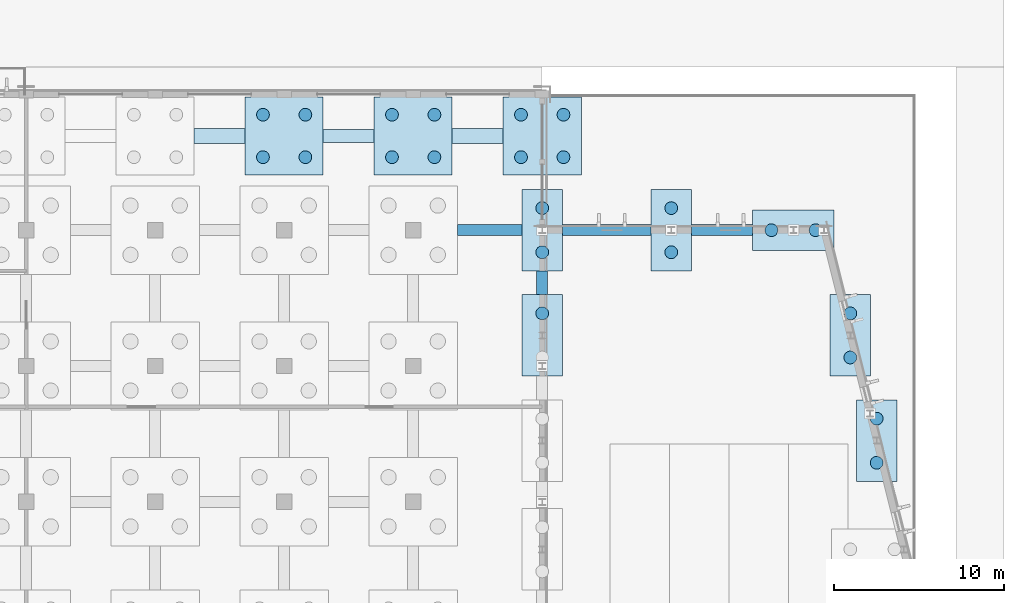
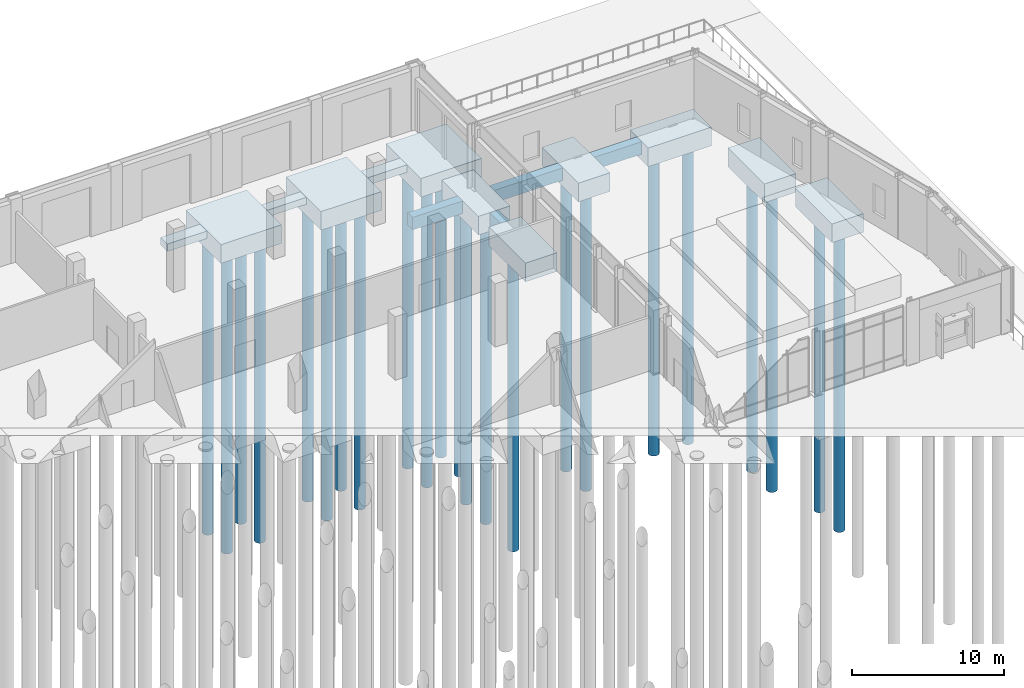
# One storey, part 14 of 94: 23 piles, 16 footings.
"""IFC4 building model written with IfcOpenShell, lengths in metres."""

from ifc_helpers import new_model, si_unit, direction, frame, origin, origin_2d, place, context, subcontext, project, spatial, rectangle, circle, extrude, material, material_profile, profile_set, type_object, element, save


model = new_model("IFC4")

# Units and contexts
model_context = context("Model", 3, precision=1e-05, world=origin(), true_north=direction((0.0, 1.0)))
body_context = subcontext(model_context, "Body", "Model", "MODEL_VIEW")
ifc_project = project(units=[si_unit("LENGTHUNIT", "METRE"), si_unit("AREAUNIT", "SQUARE_METRE"), si_unit("VOLUMEUNIT", "CUBIC_METRE"), si_unit("PLANEANGLEUNIT", "RADIAN"), si_unit("MASSUNIT", "GRAM", prefix="KILO")], contexts=[model_context])

# Site, building, storey
site_placement = place(None, origin())
site = spatial("IfcSite", under=ifc_project, at=site_placement, CompositionType="ELEMENT")
building_placement = place(site_placement, origin())
building = spatial("IfcBuilding", under=site, at=building_placement, Name="Vervanel Yard Central Library", CompositionType="ELEMENT")
storey_placement = place(building_placement, origin())
storey = spatial("IfcBuildingStorey", under=building, at=storey_placement, Name="L00", CompositionType="ELEMENT", Elevation=0.0)

# Piles
ifc_material = material(Name="Concrete C40/50", Category="concrete")
ifc_material_profile_1 = material_profile(ifc_material, circle(Radius=0.375, at=origin_2d()), Name="BP D750", Category="concrete")
ifc_profile_set_1 = profile_set([ifc_material_profile_1], Name="Concrete C40/50")
pile_type = type_object("IfcPileType", Name="Bored Concrete Pile D750", PredefinedType="BORED", material=ifc_profile_set_1)
for number, where, z_axis, x_axis, name in (
    (1, (129.550048828125, 110.300048828125, -1.75), (0.0, 0.0, -1.0), (1.0, 0.0, 0.0), "Bored Concrete Pile 381 under PCAP-094"),
    (2, (132.050048828125, 110.300048828125, -1.75), (0.0, 0.0, -1.0), (1.0, 0.0, 0.0), "Bored Concrete Pile 382 under PCAP-094"),
    (3, (129.550048828125, 112.800048828125, -1.75), (0.0, 0.0, -1.0), (1.0, 0.0, 0.0), "Bored Concrete Pile 383 under PCAP-094"),
    (4, (132.050048828125, 112.800048828125, -1.75), (0.0, 0.0, -1.0), (1.0, 0.0, 0.0), "Bored Concrete Pile 384 under PCAP-094"),
    (5, (137.14990234375, 110.300048828125, -1.75), (0.0, 0.0, -1.0), (1.0, 0.0, 0.0), "Bored Concrete Pile 397 under PCAP-098"),
    (6, (139.64990234375, 110.300048828125, -1.75), (0.0, 0.0, -1.0), (1.0, 0.0, 0.0), "Bored Concrete Pile 398 under PCAP-098"),
    (7, (137.14990234375, 112.800048828125, -1.75), (0.0, 0.0, -1.0), (1.0, 0.0, 0.0), "Bored Concrete Pile 399 under PCAP-098"),
    (8, (139.64990234375, 112.800048828125, -1.75), (0.0, 0.0, -1.0), (1.0, 0.0, 0.0), "Bored Concrete Pile 400 under PCAP-098"),
    (9, (144.75, 110.300048828125, -1.75), (0.0, 0.0, -1.0), (1.0, 0.0, 0.0), "Bored Concrete Pile 401 under PCAP-099"),
    (10, (147.25, 110.300048828125, -1.75), (0.0, 0.0, -1.0), (1.0, 0.0, 0.0), "Bored Concrete Pile 402 under PCAP-099"),
    (11, (144.75, 112.800048828125, -1.75), (0.0, 0.0, -1.0), (1.0, 0.0, 0.0), "Bored Concrete Pile 403 under PCAP-099"),
    (12, (147.25, 112.800048828125, -1.75), (0.0, 0.0, -1.0), (1.0, 0.0, 0.0), "Bored Concrete Pile 404 under PCAP-099"),
    (13, (146.0, 101.10009765625, -1.75), (0.0, 0.0, -1.0), (1.0, 0.0, 0.0), "Bored Concrete Pile 518 under PCAP-156"),
    (14, (146.0, 104.699951171875, -1.75), (0.0, 0.0, -1.0), (1.0, 0.0, 0.0), "Bored Concrete Pile 519 under PCAP-157"),
    (15, (146.0, 107.300048828125, -1.75), (0.0, 0.0, -1.0), (1.0, 0.0, 0.0), "Bored Concrete Pile 520 under PCAP-157"),
    (16, (153.60009765625, 104.699951171875, -1.75), (0.0, 0.0, -1.0), (1.0, 0.0, 0.0), "Bored Concrete Pile 523 under PCAP-159"),
    (17, (153.60009765625, 107.300048828125, -1.75), (0.0, 0.0, -1.0), (1.0, 0.0, 0.0), "Bored Concrete Pile 524 under PCAP-159"),
    (18, (164.14990234375, 98.5, -1.75), (0.0, 0.0, -1.0), (1.0, 0.0, 0.0), "Bored Concrete Pile 525 under PCAP-160"),
    (19, (164.14990234375, 101.10009765625, -1.75), (0.0, 0.0, -1.0), (1.0, 0.0, 0.0), "Bored Concrete Pile 526 under PCAP-160"),
    (20, (165.699951171875, 92.300048828125, -1.75), (0.0, 0.0, -1.0), (1.0, 0.0, 0.0), "Bored Concrete Pile 527 under PCAP-161"),
    (21, (165.699951171875, 94.89990234375, -1.75), (0.0, 0.0, -1.0), (1.0, 0.0, 0.0), "Bored Concrete Pile 528 under PCAP-161"),
    (22, (159.5, 106.0, -1.75), (0.0, 0.0, -1.0), (1.0, 0.0, 0.0), "Bored Concrete Pile 603 under PCAP-199"),
    (23, (162.10009765625, 106.0, -1.75), (0.0, 0.0, -1.0), (1.0, 0.0, 0.0), "Bored Concrete Pile 604 under PCAP-199"),
):
    element("IfcPile", number, at=place(storey_placement, frame(where, z_axis=z_axis, x_axis=x_axis)), inside=storey, type_object=pile_type, Name=name, PredefinedType="BORED", context=body_context, shape_type="SweptSolid", body=[
        extrude(circle(Radius=0.375, at=origin_2d()), origin(), (0.0, 0.0, 1.0), 24.25),
    ])

# Footings
footing_type_1 = type_object("IfcFootingType", Name="Combined 2-Pile Cap 2400x4800x1500", PredefinedType="PILE_CAP", material=ifc_material)
for number, where, z_axis, x_axis, name in (
    (24, (146.0, 99.800048828125, -1.89990234375), (0.0, 0.0, 1.0), (1.0, 0.0, 0.0), "Combined Pile Cap PCAP-156 (PC-01)"),
    (25, (146.0, 106.0, -1.89990234375), (0.0, 0.0, 1.0), (1.0, 0.0, 0.0), "Combined Pile Cap PCAP-157 (PC-01)"),
    (26, (153.60009765625, 106.0, -1.89990234375), (0.0, 0.0, 1.0), (1.0, 0.0, 0.0), "Combined Pile Cap PCAP-159 (PC-01)"),
    (27, (164.14990234375, 99.800048828125, -1.89990234375), (0.0, 0.0, 1.0), (1.0, 0.0, 0.0), "Combined Pile Cap PCAP-160 (PC-01)"),
    (28, (165.699951171875, 93.60009765625, -1.89990234375), (0.0, 0.0, 1.0), (1.0, 0.0, 0.0), "Combined Pile Cap PCAP-161 (PC-01)"),
):
    element("IfcFooting", number, at=place(storey_placement, frame(where, z_axis=z_axis, x_axis=x_axis)), inside=storey, type_object=footing_type_1, Name=name, PredefinedType="PILE_CAP", context=body_context, shape_type="SweptSolid", body=[
        extrude(rectangle(XDim=2.39990234375, YDim=4.800048828125, at=origin_2d()), origin(), (0.0, 0.0, 1.0), 1.5),
    ])
footing_type_2 = type_object("IfcFootingType", Name="Combined 2-Pile Cap 4800x2400x1500", PredefinedType="PILE_CAP", material=ifc_material)
footing_1_placement = place(storey_placement, frame((160.800048828125, 106.0, -1.89990234375), z_axis=(0.0, 0.0, 1.0), x_axis=(1.0, 0.0, 0.0)))
element("IfcFooting", 29, at=footing_1_placement, inside=storey, type_object=footing_type_2, Name="Combined Pile Cap PCAP-199 (PC-02)", PredefinedType="PILE_CAP", context=body_context, shape_type="SweptSolid", body=[
    extrude(rectangle(XDim=4.800048828125, YDim=2.39990234375, at=origin_2d()), origin(), (0.0, 0.0, 1.0), 1.5),
])
footing_type_3 = type_object("IfcFootingType", Name="Combined 4-Pile Cap 4600x4600x1500", PredefinedType="PILE_CAP", material=ifc_material)
for number, where, z_axis, x_axis, name in (
    (30, (130.800048828125, 111.550048828125, -1.89990234375), (0.0, 0.0, 1.0), (1.0, 0.0, 0.0), "Combined Pile Cap PCAP-094 (PC-03)"),
    (31, (138.39990234375, 111.550048828125, -1.89990234375), (0.0, 0.0, 1.0), (1.0, 0.0, 0.0), "Combined Pile Cap PCAP-098 (PC-03)"),
    (32, (146.0, 111.550048828125, -1.89990234375), (0.0, 0.0, 1.0), (1.0, 0.0, 0.0), "Combined Pile Cap PCAP-099 (PC-03)"),
):
    element("IfcFooting", number, at=place(storey_placement, frame(where, z_axis=z_axis, x_axis=x_axis)), inside=storey, type_object=footing_type_3, Name=name, PredefinedType="PILE_CAP", context=body_context, shape_type="SweptSolid", body=[
        extrude(rectangle(XDim=4.60009765625, YDim=4.60009765625, at=origin_2d()), origin(), (0.0, 0.0, 1.0), 1.5),
    ])
ifc_material_profile_2 = material_profile(ifc_material, rectangle(XDim=0.64990234375, YDim=1.0, at=origin_2d()), Name="RC 650x1000", Category="concrete")
ifc_profile_set_2 = profile_set([ifc_material_profile_2], Name="Concrete C40/50")
footing_type_4 = type_object("IfcFootingType", Name="Concrete Footing Beam 650x1000", PredefinedType="FOOTING_BEAM", material=ifc_profile_set_2)
footing_2_placement = place(storey_placement, frame((141.0, 106.0, -0.919921875), z_axis=(1.0, 0.0, 0.0), x_axis=(0.0, 1.0, 0.0)))
element("IfcFooting", 33, at=footing_2_placement, inside=storey, type_object=footing_type_4, Name="Concrete Footing Beam FB-X-141", PredefinedType="FOOTING_BEAM", context=body_context, shape_type="SweptSolid", body=[
    extrude(rectangle(XDim=0.64990234375, YDim=1.0, at=origin_2d()), origin(), (0.0, 0.0, 1.0), 3.800048828125),
])
footing_3_placement = place(storey_placement, frame((147.199951171875, 106.0, -0.919921875), z_axis=(1.0, 0.0, 0.0), x_axis=(0.0, 1.0, 0.0)))
element("IfcFooting", 34, at=footing_3_placement, inside=storey, type_object=footing_type_4, Name="Concrete Footing Beam FB-X-142", PredefinedType="FOOTING_BEAM", context=body_context, shape_type="SweptSolid", body=[
    extrude(rectangle(XDim=0.64990234375, YDim=1.0, at=origin_2d()), origin(), (0.0, 0.0, 1.0), 5.199951171875),
])
footing_4_placement = place(storey_placement, frame((154.800048828125, 106.0, -0.919921875), z_axis=(1.0, 0.0, 0.0), x_axis=(0.0, 1.0, 0.0)))
element("IfcFooting", 35, at=footing_4_placement, inside=storey, type_object=footing_type_4, Name="Concrete Footing Beam FB-X-143", PredefinedType="FOOTING_BEAM", context=body_context, shape_type="SweptSolid", body=[
    extrude(rectangle(XDim=0.64990234375, YDim=1.0, at=origin_2d()), origin(), (0.0, 0.0, 1.0), 3.599853515625),
])
footing_5_placement = place(storey_placement, frame((146.0, 102.199951171875, -0.919921875), z_axis=(0.0, 1.0, 0.0), x_axis=(-1.0, 0.0, 0.0)))
element("IfcFooting", 36, at=footing_5_placement, inside=storey, type_object=footing_type_4, Name="Concrete Footing Beam FB-Y-288", PredefinedType="FOOTING_BEAM", context=body_context, shape_type="SweptSolid", body=[
    extrude(rectangle(XDim=0.64990234375, YDim=1.0, at=origin_2d()), origin(), (0.0, 0.0, 1.0), 1.400146484375),
])
ifc_material_profile_3 = material_profile(ifc_material, rectangle(XDim=0.89990234375, YDim=0.60009765625, at=origin_2d()), Name="RC 900x600", Category="concrete")
ifc_profile_set_3 = profile_set([ifc_material_profile_3], Name="Concrete C40/50")
footing_type_5 = type_object("IfcFootingType", Name="Concrete Perimeter Strip Footing 900x600", PredefinedType="STRIP_FOOTING", material=ifc_profile_set_3)
for number, where, z_axis, x_axis, name in (
    (37, (125.5, 111.550048828125, -0.719970703125), (1.0, 0.0, 0.0), (0.0, 1.0, 0.0), "Perimeter Strip Footing SF-X-007"),
    (38, (140.699951171875, 111.550048828125, -0.719970703125), (1.0, 0.0, 0.0), (0.0, 1.0, 0.0), "Perimeter Strip Footing SF-X-009"),
):
    element("IfcFooting", number, at=place(storey_placement, frame(where, z_axis=z_axis, x_axis=x_axis)), inside=storey, type_object=footing_type_5, Name=name, PredefinedType="STRIP_FOOTING", context=body_context, shape_type="SweptSolid", body=[
        extrude(rectangle(XDim=0.89990234375, YDim=0.60009765625, at=origin_2d()), origin(), (0.0, 0.0, 1.0), 3.0),
    ])
ifc_material_profile_4 = material_profile(ifc_material, rectangle(XDim=0.75, YDim=0.550048828125, at=origin_2d()), Name="RC 750x550", Category="concrete")
ifc_profile_set_4 = profile_set([ifc_material_profile_4], Name="Concrete C40/50")
footing_type_6 = type_object("IfcFootingType", Name="Concrete Plinth Strip Footing 750x550", PredefinedType="STRIP_FOOTING", material=ifc_profile_set_4)
footing_6_placement = place(storey_placement, frame((133.10009765625, 111.550048828125, -0.695068359375), z_axis=(1.0, 0.0, 0.0), x_axis=(0.0, 1.0, 0.0)))
element("IfcFooting", 39, at=footing_6_placement, inside=storey, type_object=footing_type_6, Name="Perimeter Strip Footing SF-X-008", PredefinedType="STRIP_FOOTING", context=body_context, shape_type="SweptSolid", body=[
    extrude(rectangle(XDim=0.75, YDim=0.550048828125, at=origin_2d()), origin(), (0.0, 0.0, 1.0), 3.0),
])

save(model, "model.ifc")
